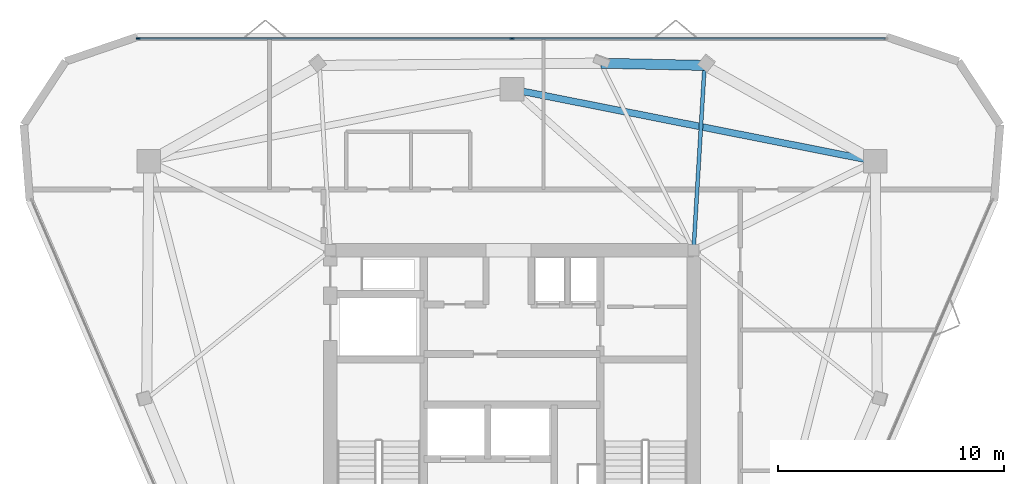
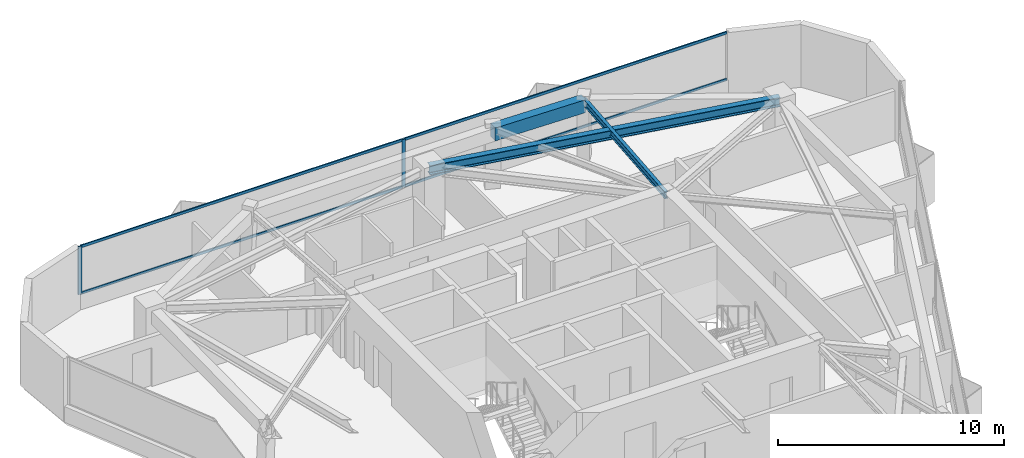
# One storey, part 6 of 11: 6 members, 3 beams, 1 element without a shape of its own.
"""IFC4 building model written with IfcOpenShell, lengths in metres."""

from ifc_helpers import new_model, si_unit, direction, frame, origin, origin_2d, place, context, subcontext, project, spatial, rectangle, i_section, extrude, material, layer, layer_set, material_profile, profile_set, type_object, element, aggregate, save


model = new_model("IFC4")

# Units and contexts
model_context = context("Model", 3, precision=1e-05, world=origin(), true_north=direction((0.0, 1.0)))
body_context = subcontext(model_context, "Body", "Model", "MODEL_VIEW")
ifc_project = project(units=[si_unit("LENGTHUNIT", "METRE"), si_unit("AREAUNIT", "SQUARE_METRE"), si_unit("VOLUMEUNIT", "CUBIC_METRE"), si_unit("PLANEANGLEUNIT", "RADIAN"), si_unit("MASSUNIT", "GRAM", prefix="KILO")], contexts=[model_context])

# Site, building, storey
site_placement = place(None, origin())
site = spatial("IfcSite", under=ifc_project, at=site_placement, CompositionType="ELEMENT")
building_placement = place(site_placement, origin())
building = spatial("IfcBuilding", under=site, at=building_placement, Name="Talyreon Biosciences Tower", CompositionType="ELEMENT")
storey_placement = place(building_placement, frame((0.0, 0.0, 283.800048828125)))
storey = spatial("IfcBuildingStorey", under=building, at=storey_placement, Name="L75", CompositionType="ELEMENT", Elevation=283.800048828125)

# Curtain wall, members
ifc_material_1 = material(Name="Thermally broken aluminium and low-E glazing", Category="aluminium")
ifc_layer = layer(ifc_material_1, 0.175048828125)
ifc_layer_set = layer_set([ifc_layer], Name="Thermally broken aluminium and low-E glazing")
curtain_wall_type = type_object("IfcCurtainWallType", Name="CurtainWall_Zone5CompLab", PredefinedType="NOTDEFINED", material=ifc_layer_set)
curtain_wall_placement = place(storey_placement, origin())
curtain_wall = element("IfcCurtainWall", 1, at=curtain_wall_placement, inside=storey, type_object=curtain_wall_type, Name="L75 Unitised Curtain Wall FCW-L75-04", PredefinedType="NOTDEFINED")
ifc_material_2 = material(Name="Anodised thermally broken aluminium", Category="aluminium")
ifc_material_profile_1 = material_profile(ifc_material_2, rectangle(XDim=0.06494140625, YDim=0.179931640625, at=origin_2d()), Name="ALUM MULLION 65x180")
ifc_profile_set_1 = profile_set([ifc_material_profile_1], Name="Anodised thermally broken aluminium")
member_type_1 = type_object("IfcMemberType", Name="CWMullion_65x180", PredefinedType="MULLION", material=ifc_profile_set_1)
member_1_placement = place(storey_placement, frame((49.4248046875, 84.037109375, 0.81005859375), z_axis=(0.0, 0.0, 1.0), x_axis=(0.0, 1.0, 0.0)))
member_1 = element("IfcMember", 2, at=member_1_placement, type_object=member_type_1, Name="CW6 mullion 1", PredefinedType="MULLION", context=body_context, shape_type="SweptSolid", body=[
    extrude(rectangle(XDim=0.06494140625, YDim=0.179931640625, at=origin_2d()), origin(), (0.0, 0.0, 1.0), 2.58984375),
])
member_2_placement = place(storey_placement, frame((66.0, 84.037109375, 0.81005859375), z_axis=(0.0, 0.0, 1.0), x_axis=(0.0, 1.0, 0.0)))
member_2 = element("IfcMember", 3, at=member_2_placement, type_object=member_type_1, Name="CW6 mullion 2", PredefinedType="MULLION", context=body_context, shape_type="SweptSolid", body=[
    extrude(rectangle(XDim=0.06494140625, YDim=0.179931640625, at=origin_2d()), origin(), (0.0, 0.0, 1.0), 2.58984375),
])
ifc_material_profile_2 = material_profile(ifc_material_2, rectangle(XDim=0.06494140625, YDim=0.139892578125, at=origin_2d()), Name="ALUM TRANSOM 65x140")
ifc_profile_set_2 = profile_set([ifc_material_profile_2], Name="Anodised thermally broken aluminium")
member_type_2 = type_object("IfcMemberType", Name="CWTransom_65x140", PredefinedType="USERDEFINED", material=ifc_profile_set_2)
member_3_placement = place(storey_placement, frame((49.457275390625, 84.037109375, 0.842529296875), z_axis=(1.0, 0.0, 0.0), x_axis=(0.0, 1.0, 0.0)))
member_3 = element("IfcMember", 4, at=member_3_placement, type_object=member_type_2, Name="CW6 transom 1.1", ObjectType="TRANSOM", PredefinedType="USERDEFINED", context=body_context, shape_type="SweptSolid", body=[
    extrude(rectangle(XDim=0.06494140625, YDim=0.139892578125, at=origin_2d()), origin(), (0.0, 0.0, 1.0), 16.51025390625),
])
member_4_placement = place(storey_placement, frame((49.457275390625, 84.037109375, 3.367431640625), z_axis=(1.0, 0.0, 0.0), x_axis=(0.0, 1.0, 0.0)))
member_4 = element("IfcMember", 5, at=member_4_placement, type_object=member_type_2, Name="CW6 transom 1.2", ObjectType="TRANSOM", PredefinedType="USERDEFINED", context=body_context, shape_type="SweptSolid", body=[
    extrude(rectangle(XDim=0.06494140625, YDim=0.139892578125, at=origin_2d()), origin(), (0.0, 0.0, 1.0), 16.51025390625),
])
member_5_placement = place(storey_placement, frame((66.032470703125, 84.037109375, 0.842529296875), z_axis=(1.0, 0.0, 0.0), x_axis=(0.0, 1.0, 0.0)))
member_5 = element("IfcMember", 6, at=member_5_placement, type_object=member_type_2, Name="CW6 transom 2.1", ObjectType="TRANSOM", PredefinedType="USERDEFINED", context=body_context, shape_type="SweptSolid", body=[
    extrude(rectangle(XDim=0.06494140625, YDim=0.139892578125, at=origin_2d()), origin(), (0.0, 0.0, 1.0), 16.51025390625),
])
member_6_placement = place(storey_placement, frame((66.032470703125, 84.037109375, 3.367431640625), z_axis=(1.0, 0.0, 0.0), x_axis=(0.0, 1.0, 0.0)))
member_6 = element("IfcMember", 7, at=member_6_placement, type_object=member_type_2, Name="CW6 transom 2.2", ObjectType="TRANSOM", PredefinedType="USERDEFINED", context=body_context, shape_type="SweptSolid", body=[
    extrude(rectangle(XDim=0.06494140625, YDim=0.139892578125, at=origin_2d()), origin(), (0.0, 0.0, 1.0), 16.51025390625),
])
aggregate(curtain_wall, [member_1, member_2, member_3, member_4, member_5, member_6])

# Beams
ifc_material_3 = material(Name="Precast concrete C45/55", Category="concrete")
ifc_material_profile_3 = material_profile(ifc_material_3, rectangle(XDim=0.449951171875, YDim=0.699951171875, at=origin_2d()), Name="RCB 450x700")
ifc_profile_set_3 = profile_set([ifc_material_profile_3], Name="Precast concrete C45/55")
beam_type_1 = type_object("IfcBeamType", Name="ExpressedSpandrel_450x700", PredefinedType="SPANDREL", material=ifc_profile_set_3)
beam_1_placement = place(storey_placement, frame((74.5380859375, 82.844970703125, 3.050048828125), z_axis=(-0.999763060986, 0.021767450215, 0.0), x_axis=(-0.021767450215, -0.999763060986, 0.0)))
element("IfcBeam", 8, at=beam_1_placement, inside=storey, type_object=beam_type_1, Name="L75 Expressed Horizontal Concrete Spandrel 06", PredefinedType="SPANDREL", context=body_context, shape_type="SweptSolid", body=[
    extrude(rectangle(XDim=0.449951171875, YDim=0.699951171875, at=origin_2d()), origin(), (0.0, 0.0, 1.0), 4.598388671875),
])
ifc_material_4 = material(Name="Steel SM355", Category="steel")
ifc_material_profile_4 = material_profile(ifc_material_4, i_section(OverallWidth=0.300048828125, OverallDepth=0.5, WebThickness=0.014404296875, FlangeThickness=0.028076171875, FilletRadius=0.027099609375, at=origin_2d()), Name="HE500B")
ifc_profile_set_4 = profile_set([ifc_material_profile_4], Name="Steel SM355")
beam_type_2 = type_object("IfcBeamType", Name="SteelBeam_HE500B", PredefinedType="BEAM", material=ifc_profile_set_4)
beam_2_placement = place(storey_placement, frame((82.102294921875, 78.5986328125, 3.14990234375), z_axis=(-0.980933730698, 0.194342522311, 0.0), x_axis=(-0.194342522311, -0.980933730698, 0.0)))
element("IfcBeam", 9, at=beam_2_placement, inside=storey, type_object=beam_type_2, Name="L75 Mega-Ring Girder 3", PredefinedType="BEAM", context=body_context, shape_type="SweptSolid", body=[
    extrude(i_section(OverallWidth=0.300048828125, OverallDepth=0.5, WebThickness=0.014404296875, FlangeThickness=0.028076171875, FilletRadius=0.027099609375, at=origin_2d()), origin(), (0.0, 0.0, 1.0), 16.415283203125),
])
ifc_material_profile_5 = material_profile(ifc_material_4, i_section(OverallWidth=0.169921875, OverallDepth=0.360107421875, WebThickness=0.008056640625, FlangeThickness=0.0126953125, FilletRadius=0.01806640625, at=origin_2d()), Name="IPE360")
ifc_profile_set_5 = profile_set([ifc_material_profile_5], Name="Steel SM355")
beam_type_3 = type_object("IfcBeamType", Name="SteelJoist_IPE360", PredefinedType="JOIST", material=ifc_profile_set_5)
beam_3_placement = place(storey_placement, frame((74.050048828125, 74.64990234375, 3.219970703125), z_axis=(0.059447215104, 0.998231450424, 0.0), x_axis=(-0.998231450424, 0.059447215104, 0.0)))
element("IfcBeam", 10, at=beam_3_placement, inside=storey, type_object=beam_type_3, Name="L75 Radial Composite Floor Joist PC-N1", PredefinedType="JOIST", context=body_context, shape_type="SweptSolid", body=[
    extrude(i_section(OverallWidth=0.169921875, OverallDepth=0.360107421875, WebThickness=0.008056640625, FlangeThickness=0.0126953125, FilletRadius=0.01806640625, at=origin_2d()), origin(), (0.0, 0.0, 1.0), 8.20947265625),
])

save(model, "model.ifc")
